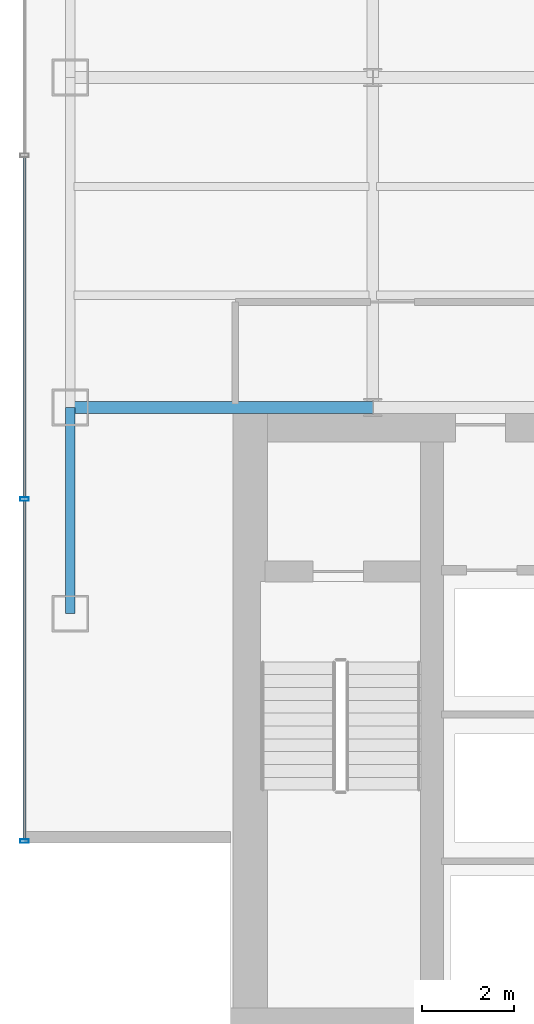
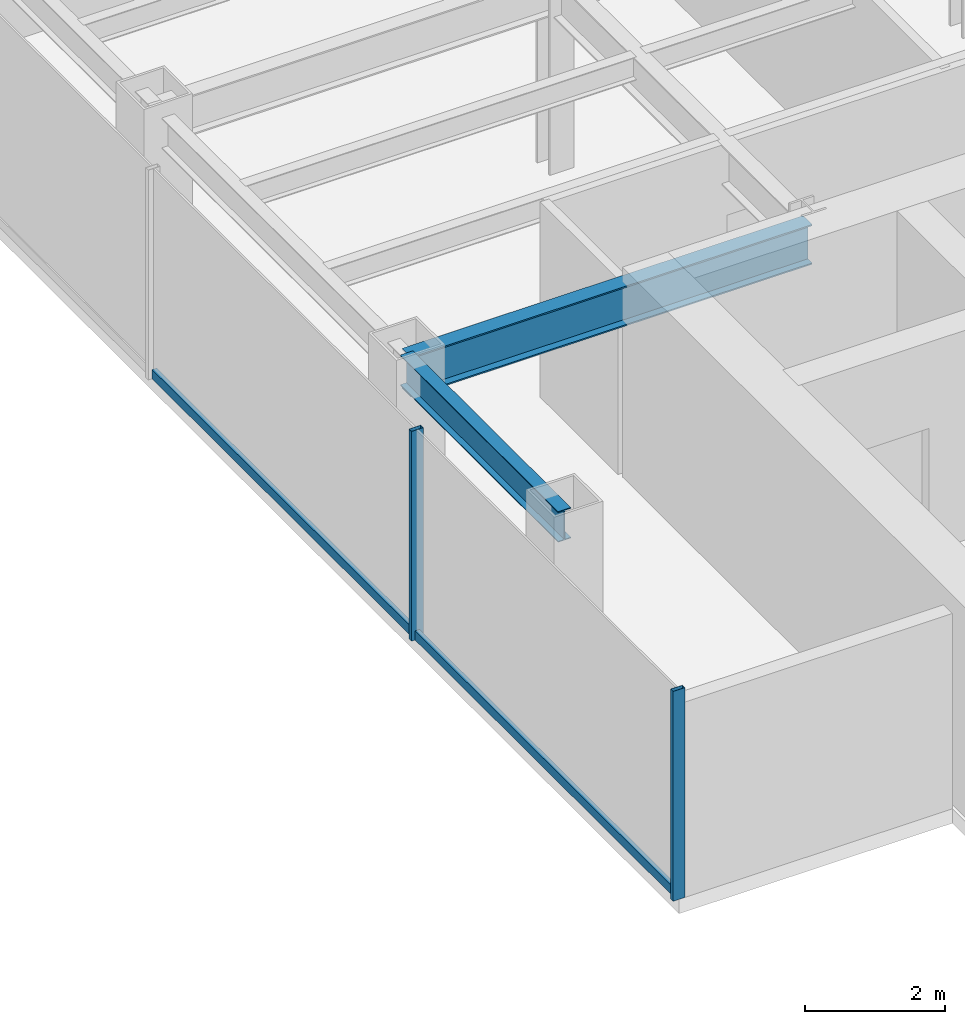
# One storey, part 2 of 26: 4 members, 2 beams, 1 element without a shape of its own.
"""IFC4 building model written with IfcOpenShell, lengths in metres."""

from ifc_helpers import new_model, si_unit, derived_unit, direction, frame, origin, origin_2d, place, context, subcontext, project, spatial, hollow_rectangle, i_section, extrude, source, transform, mapped, material, material_profile, profile_set, type_object, element, aggregate, save


model = new_model("IFC4")

# Units and contexts
model_context = context("Model", 3, precision=1e-05, world=origin(), true_north=direction((0.0, 1.0)))
body_context = subcontext(model_context, "Body", "Model", "MODEL_VIEW")
ifc_project = project(units=[si_unit("LENGTHUNIT", "METRE"), si_unit("AREAUNIT", "SQUARE_METRE"), si_unit("VOLUMEUNIT", "CUBIC_METRE"), si_unit("PLANEANGLEUNIT", "RADIAN"), si_unit("MASSUNIT", "GRAM", prefix="KILO"), derived_unit("THERMALTRANSMITTANCEUNIT", [(si_unit("POWERUNIT", "WATT"), 1), (si_unit("LENGTHUNIT", "METRE"), -2), (si_unit("THERMODYNAMICTEMPERATUREUNIT", "KELVIN"), -1)])], contexts=[model_context])

# Site, building, storey
site_placement = place(None, origin())
site = spatial("IfcSite", under=ifc_project, at=site_placement, CompositionType="ELEMENT")
building_placement = place(site_placement, origin())
building = spatial("IfcBuilding", under=site, at=building_placement, Name="Skarnbrae Concourse Arena and Tower", CompositionType="ELEMENT")
storey_placement = place(building_placement, frame((0.0, 0.0, 128.800048828125)))
storey = spatial("IfcBuildingStorey", under=building, at=storey_placement, Name="L32", CompositionType="ELEMENT", Elevation=128.800048828125)

# Beams
ifc_material_1 = material(Name="Steel CSA G40.21 350W", Category="steel")
ifc_material_profile_1 = material_profile(ifc_material_1, i_section(OverallWidth=0.256103515625, OverallDepth=0.693115234375, WebThickness=0.014404296875, FlangeThickness=0.023681640625, at=origin_2d()), Name="W690X170")
ifc_profile_set_1 = profile_set([ifc_material_profile_1], Name="Steel CSA G40.21 350W")
beam_type_1 = type_object("IfcBeamType", Name="BM-GIRD-W690X170", PredefinedType="BEAM", material=ifc_profile_set_1)
shared_shape_1 = source(origin(), body_context, "Body", "SweptSolid", [
    extrude(i_section(OverallWidth=0.256103515625, OverallDepth=0.693115234375, WebThickness=0.014404296875, FlangeThickness=0.023681640625, at=origin_2d()), origin(), (0.0, 0.0, 1.0), 6.60009765625),
])
beam_1_placement = place(storey_placement, frame((1.0, 14.0, 3.053466796875), z_axis=(1.0, 0.0, 0.0), x_axis=(0.0, 1.0, 0.0)))
element("IfcBeam", 1, at=beam_1_placement, inside=storey, type_object=beam_type_1, Name="L32 Primary E-W girder Y14.0-1", PredefinedType="BEAM", context=body_context, shape_type="MappedRepresentation", body=[
    mapped(shared_shape_1, transform((0.0, 0.0, 0.0))),
])
ifc_material_profile_2 = material_profile(ifc_material_1, i_section(OverallWidth=0.208984375, OverallDepth=0.532958984375, WebThickness=0.01025390625, FlangeThickness=0.015625, at=origin_2d()), Name="W530X92")
ifc_profile_set_2 = profile_set([ifc_material_profile_2], Name="Steel CSA G40.21 350W")
beam_type_2 = type_object("IfcBeamType", Name="BM-SPAN-W530X92", PredefinedType="SPANDREL", material=ifc_profile_set_2)
shared_shape_2 = source(origin(), body_context, "Body", "SweptSolid", [
    extrude(i_section(OverallWidth=0.208984375, OverallDepth=0.532958984375, WebThickness=0.01025390625, FlangeThickness=0.015625, at=origin_2d()), origin(), (0.0, 0.0, 1.0), 4.5),
])
beam_2_placement = place(storey_placement, frame((1.0, 9.5, 3.133544921875), z_axis=(0.0, 1.0, 0.0), x_axis=(-1.0, 0.0, 0.0)))
element("IfcBeam", 2, at=beam_2_placement, inside=storey, type_object=beam_type_2, Name="L32 Perimeter spandrel X1.0-1", PredefinedType="SPANDREL", context=body_context, shape_type="MappedRepresentation", body=[
    mapped(shared_shape_2, transform((0.0, 0.0, 0.0))),
])

# Curtain wall, members
ifc_material_2 = material(Name="Bronze anodised aluminium 6063-T6", Category="aluminium")
curtain_wall_type = type_object("IfcCurtainWallType", Name="CW-SYS-04-MIDZONE", PredefinedType="USERDEFINED", material=ifc_material_2)
curtain_wall_placement = place(storey_placement, origin())
curtain_wall = element("IfcCurtainWall", 3, at=curtain_wall_placement, inside=storey, type_object=curtain_wall_type, Name="L32 Unitised curtain wall CW-L32-E19", ObjectType="UNITISED CURTAIN WALL", PredefinedType="USERDEFINED")
ifc_material_profile_3 = material_profile(ifc_material_2, hollow_rectangle(XDim=0.074951171875, YDim=0.159912109375, WallThickness=0.00439453125, at=origin_2d()), Name="ALU-TRAN-75X160")
ifc_profile_set_3 = profile_set([ifc_material_profile_3], Name="Bronze anodised aluminium 6063-T6")
member_type_1 = type_object("IfcMemberType", Name="CWT-CW-04", PredefinedType="USERDEFINED", material=ifc_profile_set_3)
shared_shape_3 = source(origin(), body_context, "Body", "SweptSolid", [
    extrude(hollow_rectangle(XDim=0.074951171875, YDim=0.159912109375, WallThickness=0.00439453125, at=origin_2d()), origin(), (0.0, 0.0, 1.0), 7.387451171875),
])
member_1_placement = place(storey_placement, frame((0.0, 11.96240234375, 0.079833984375), z_axis=(0.0, -1.0, 0.0), x_axis=(1.0, 0.0, 0.0)))
member_1 = element("IfcMember", 4, at=member_1_placement, type_object=member_type_1, Name="CW-L32-E19 Transom 4", ObjectType="TRANSOM", PredefinedType="USERDEFINED", context=body_context, shape_type="MappedRepresentation", body=[
    mapped(shared_shape_3, transform((0.0, 0.0, 0.0))),
])
shared_shape_4 = source(origin(), body_context, "Body", "SweptSolid", [
    extrude(hollow_rectangle(XDim=0.074951171875, YDim=0.159912109375, WallThickness=0.00439453125, at=origin_2d()), origin(), (0.0, 0.0, 1.0), 7.4248046875),
])
member_2_placement = place(storey_placement, frame((0.0, 19.46240234375, 0.079833984375), z_axis=(0.0, -1.0, 0.0), x_axis=(1.0, 0.0, 0.0)))
member_2 = element("IfcMember", 5, at=member_2_placement, type_object=member_type_1, Name="CW-L32-E19 Transom 3", ObjectType="TRANSOM", PredefinedType="USERDEFINED", context=body_context, shape_type="MappedRepresentation", body=[
    mapped(shared_shape_4, transform((0.0, 0.0, 0.0))),
])
ifc_material_profile_4 = material_profile(ifc_material_2, hollow_rectangle(XDim=0.074951171875, YDim=0.195068359375, WallThickness=0.00439453125, at=origin_2d()), Name="ALU-MULL-75X195")
ifc_profile_set_4 = profile_set([ifc_material_profile_4], Name="Bronze anodised aluminium 6063-T6")
member_type_2 = type_object("IfcMemberType", Name="CWM-CW-04", PredefinedType="MULLION", material=ifc_profile_set_4)
shared_shape_5 = source(origin(), body_context, "Body", "SweptSolid", [
    extrude(hollow_rectangle(XDim=0.074951171875, YDim=0.195068359375, WallThickness=0.00439453125, at=origin_2d()), origin(), (0.0, 0.0, 1.0), 3.64990234375),
])
member_3_placement = place(storey_placement, frame((0.0, 12.0, 0.0), z_axis=(0.0, 0.0, 1.0), x_axis=(0.0, -1.0, 0.0)))
member_3 = element("IfcMember", 6, at=member_3_placement, type_object=member_type_2, Name="CW-L32-E19 Mullion 4", PredefinedType="MULLION", context=body_context, shape_type="MappedRepresentation", body=[
    mapped(shared_shape_5, transform((0.0, 0.0, 0.0))),
])
member_4_placement = place(storey_placement, frame((0.0, 4.53759765625, 0.0), z_axis=(0.0, 0.0, 1.0), x_axis=(0.0, -1.0, 0.0)))
member_4 = element("IfcMember", 7, at=member_4_placement, type_object=member_type_2, Name="CW-L32-E19 Mullion 5", PredefinedType="MULLION", context=body_context, shape_type="MappedRepresentation", body=[
    mapped(shared_shape_5, transform((0.0, 0.0, 0.0))),
])
aggregate(curtain_wall, [member_3, member_4, member_2, member_1])

save(model, "model.ifc")
